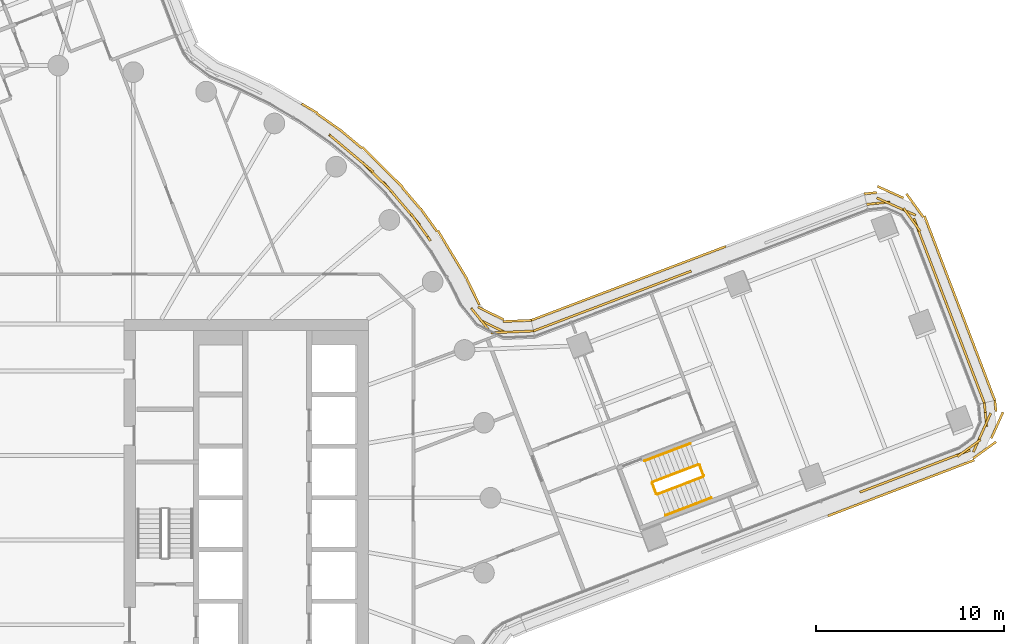
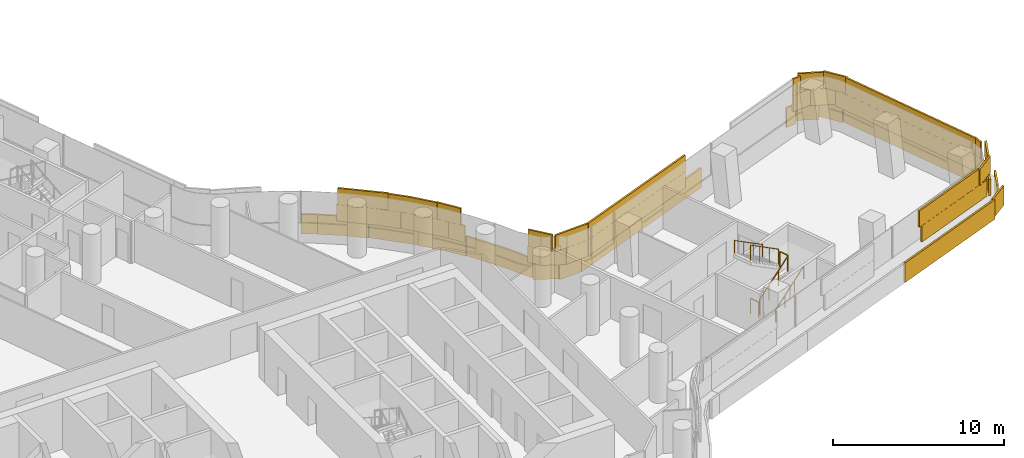
# One storey, part 30 of 32: 6 railings, 4 coverings.
"""IFC4 building model written with IfcOpenShell, lengths in metres."""

from ifc_helpers import new_model, si_unit, direction, frame, origin, origin_2d, place, context, subcontext, project, spatial, rectangle, circle, extrude, material, layer, layer_set, type_object, element, save


model = new_model("IFC4")

# Units and contexts
model_context = context("Model", 3, precision=1e-05, world=origin(), true_north=direction((0.0, 1.0)))
body_context = subcontext(model_context, "Body", "Model", "MODEL_VIEW")
ifc_project = project(units=[si_unit("LENGTHUNIT", "METRE"), si_unit("AREAUNIT", "SQUARE_METRE"), si_unit("VOLUMEUNIT", "CUBIC_METRE"), si_unit("PLANEANGLEUNIT", "RADIAN"), si_unit("MASSUNIT", "GRAM", prefix="KILO")], contexts=[model_context])

# Site, building, storey
site_placement = place(None, origin())
site = spatial("IfcSite", under=ifc_project, at=site_placement, CompositionType="ELEMENT")
building_placement = place(site_placement, origin())
building = spatial("IfcBuilding", under=site, at=building_placement, Name="Tamarind Cross Interchange Tower", CompositionType="ELEMENT")
storey_placement = place(building_placement, frame((0.0, 0.0, 109.75)))
storey = spatial("IfcBuildingStorey", under=building, at=storey_placement, Name="L26", CompositionType="ELEMENT", Elevation=109.75)

# Railings
ifc_material_1 = material(Name="Stair guard")
railing_type_1 = type_object("IfcRailingType", Name="Stair guard", PredefinedType="GUARDRAIL", material=ifc_material_1)
railing_1_placement = place(storey_placement, frame((31.88330078125, 0.1875, 0.17041015625)))
element("IfcRailing", 1, at=railing_1_placement, inside=storey, type_object=railing_type_1, Name="L26 ST3 stair guard 1", PredefinedType="GUARDRAIL", context=body_context, shape_type="SweptSolid", body=[
    extrude(circle(Radius=0.02392578125, at=origin_2d()), frame((0.0, 0.0, 1.076171875), z_axis=(0.781291829036, 0.298255740947, 0.548294255737), x_axis=(-0.356643451308, 0.934240573214, 0.0)), (0.0, 0.0, 1.0), 3.10888671875),
    extrude(circle(Radius=0.02099609375, at=origin_2d()), origin(), (0.0, 0.0, 1.0), 1.052001953125),
    extrude(circle(Radius=0.02099609375, at=origin_2d()), frame((0.8095703125, 0.30908203125, 0.568115234375)), (0.0, 0.0, 1.0), 1.052001953125),
    extrude(circle(Radius=0.02099609375, at=origin_2d()), frame((1.619384765625, 0.6181640625, 1.136474609375)), (0.0, 0.0, 1.0), 1.052001953125),
    extrude(circle(Radius=0.02099609375, at=origin_2d()), frame((2.428955078125, 0.92724609375, 1.70458984375)), (0.0, 0.0, 1.0), 1.052001953125),
])
railing_2_placement = place(storey_placement, frame((34.341064453125, 1.17919921875, 1.875)))
element("IfcRailing", 2, at=railing_2_placement, inside=storey, type_object=railing_type_1, Name="L26 ST3 stair guard 2", PredefinedType="GUARDRAIL", context=body_context, shape_type="SweptSolid", body=[
    extrude(circle(Radius=0.02392578125, at=origin_2d()), frame((0.0, 0.0, 1.076171875), z_axis=(-0.356824233719, 0.934171540045, 0.0), x_axis=(-0.934171540045, -0.356824233719, 0.0)), (0.0, 0.0, 1.0), 0.60009765625),
    extrude(circle(Radius=0.02099609375, at=origin_2d()), origin(), (0.0, 0.0, 1.0), 1.052001953125),
    extrude(circle(Radius=0.02099609375, at=origin_2d()), frame((-0.214111328125, 0.560546875, 0.0)), (0.0, 0.0, 1.0), 1.052001953125),
])
railing_3_placement = place(storey_placement, frame((34.0625, 1.768798828125, 2.04541015625)))
element("IfcRailing", 3, at=railing_3_placement, inside=storey, type_object=railing_type_1, Name="L26 ST3 stair guard 3", PredefinedType="GUARDRAIL", context=body_context, shape_type="SweptSolid", body=[
    extrude(circle(Radius=0.02392578125, at=origin_2d()), frame((0.0, 0.0, 1.076171875), z_axis=(-0.781273527908, -0.298327282392, 0.548281412388), x_axis=(0.356725406208, -0.934209283065, 0.0)), (0.0, 0.0, 1.0), 3.10888671875),
    extrude(circle(Radius=0.02099609375, at=origin_2d()), origin(), (0.0, 0.0, 1.0), 1.052001953125),
    extrude(circle(Radius=0.02099609375, at=origin_2d()), frame((-0.8095703125, -0.30908203125, 0.568115234375)), (0.0, 0.0, 1.0), 1.052001953125),
    extrude(circle(Radius=0.02099609375, at=origin_2d()), frame((-1.619384765625, -0.618408203125, 1.136474609375)), (0.0, 0.0, 1.0), 1.052001953125),
    extrude(circle(Radius=0.02099609375, at=origin_2d()), frame((-2.428955078125, -0.927490234375, 1.70458984375)), (0.0, 0.0, 1.0), 1.052001953125),
])
railing_4_placement = place(storey_placement, frame((31.818603515625, 0.21630859375, 0.0)))
element("IfcRailing", 4, at=railing_4_placement, inside=storey, type_object=railing_type_1, Name="L26 ST3 stair guard 4", PredefinedType="GUARDRAIL", context=body_context, shape_type="SweptSolid", body=[
    extrude(circle(Radius=0.02392578125, at=origin_2d()), frame((0.0, 0.0, 1.076171875), z_axis=(-0.356469091286, 0.934307115973, 0.0), x_axis=(-0.934307115973, -0.356469091286, 0.0)), (0.0, 0.0, 1.0), 0.599853515625),
    extrude(circle(Radius=0.02099609375, at=origin_2d()), origin(), (0.0, 0.0, 1.0), 1.052001953125),
    extrude(circle(Radius=0.02099609375, at=origin_2d()), frame((-0.2138671875, 0.560546875, 0.0)), (0.0, 0.0, 1.0), 1.052001953125),
])
ifc_material_2 = material(Name="Stair handrail")
railing_type_2 = type_object("IfcRailingType", Name="Stair handrail", PredefinedType="HANDRAIL", material=ifc_material_2)
railing_5_placement = place(storey_placement, frame((32.311279296875, -0.93359375, 0.17041015625)))
element("IfcRailing", 5, at=railing_5_placement, inside=storey, type_object=railing_type_2, Name="L26 ST3 stair handrail 1", PredefinedType="HANDRAIL", context=body_context, shape_type="SweptSolid", body=[
    extrude(circle(Radius=0.02392578125, at=origin_2d()), frame((0.0, 0.0, 0.8759765625), z_axis=(0.781291829036, 0.298255740947, 0.548294255737), x_axis=(-0.356643451308, 0.934240573214, 0.0)), (0.0, 0.0, 1.0), 3.10888671875),
    extrude(circle(Radius=0.02099609375, at=origin_2d()), origin(), (0.0, 0.0, 1.0), 0.851806640625),
    extrude(circle(Radius=0.02099609375, at=origin_2d()), frame((0.8095703125, 0.30908203125, 0.568115234375)), (0.0, 0.0, 1.0), 0.851806640625),
    extrude(circle(Radius=0.02099609375, at=origin_2d()), frame((1.619384765625, 0.6181640625, 1.136474609375)), (0.0, 0.0, 1.0), 0.851806640625),
    extrude(circle(Radius=0.02099609375, at=origin_2d()), frame((2.428955078125, 0.92724609375, 1.70458984375)), (0.0, 0.0, 1.0), 0.851806640625),
])
railing_6_placement = place(storey_placement, frame((33.634521484375, 2.889892578125, 2.04541015625)))
element("IfcRailing", 6, at=railing_6_placement, inside=storey, type_object=railing_type_2, Name="L26 ST3 stair handrail 2", PredefinedType="HANDRAIL", context=body_context, shape_type="SweptSolid", body=[
    extrude(circle(Radius=0.02392578125, at=origin_2d()), frame((0.0, 0.0, 0.8759765625), z_axis=(-0.781273527908, -0.298327282392, 0.548281412388), x_axis=(0.356725406208, -0.934209283065, 0.0)), (0.0, 0.0, 1.0), 3.10888671875),
    extrude(circle(Radius=0.02099609375, at=origin_2d()), origin(), (0.0, 0.0, 1.0), 0.851806640625),
    extrude(circle(Radius=0.02099609375, at=origin_2d()), frame((-0.8095703125, -0.30908203125, 0.568115234375)), (0.0, 0.0, 1.0), 0.851806640625),
    extrude(circle(Radius=0.02099609375, at=origin_2d()), frame((-1.619384765625, -0.618408203125, 1.136474609375)), (0.0, 0.0, 1.0), 0.851806640625),
    extrude(circle(Radius=0.02099609375, at=origin_2d()), frame((-2.428955078125, -0.927490234375, 1.70458984375)), (0.0, 0.0, 1.0), 0.851806640625),
])

# Coverings
ifc_material_3 = material(Name="Terracotta", Category="masonry")
ifc_layer = layer(ifc_material_3, 0.1201171875)
ifc_layer_set = layer_set([ifc_layer], Name="Terracotta")
covering_type = type_object("IfcCoveringType", Name="Terracotta baguette screen unit", PredefinedType="MOLDING", material=ifc_layer_set)
covering_1_placement = place(storey_placement, origin())
element("IfcCovering", 7, at=covering_1_placement, inside=storey, type_object=covering_type, Name="SCR-L26-07-02", PredefinedType="MOLDING", context=body_context, shape_type="SweptSolid", body=[
    extrude(rectangle(XDim=1.52001953125, YDim=0.1201171875, at=origin_2d()), frame((43.609619140625, 0.6611328125, 1.404052734375), z_axis=(0.0, 0.0, 1.0), x_axis=(0.934229377055, 0.356672778674, 0.0)), (0.0, 0.0, 1.0), 1.1669921875),
    extrude(rectangle(XDim=1.52001953125, YDim=0.1201171875, at=origin_2d()), frame((45.010986328125, 1.196044921875, 1.404052734375), z_axis=(0.0, 0.0, 1.0), x_axis=(0.934229377055, 0.356672778674, 0.0)), (0.0, 0.0, 1.0), 1.1669921875),
    extrude(rectangle(XDim=1.52001953125, YDim=0.1201171875, at=origin_2d()), frame((46.412353515625, 1.73095703125, 1.404052734375), z_axis=(0.0, 0.0, 1.0), x_axis=(0.934229377055, 0.356672778674, 0.0)), (0.0, 0.0, 1.0), 1.1669921875),
    extrude(rectangle(XDim=1.52001953125, YDim=0.1201171875, at=origin_2d()), frame((47.813720703125, 2.26611328125, 1.404052734375), z_axis=(0.0, 0.0, 1.0), x_axis=(0.934229377055, 0.356672778674, 0.0)), (0.0, 0.0, 1.0), 1.1669921875),
    extrude(rectangle(XDim=1.52001953125, YDim=0.1201171875, at=origin_2d()), frame((49.00341796875, 3.130126953125, 1.404052734375), z_axis=(0.0, 0.0, 1.0), x_axis=(0.408394187234, 0.912805668165, 0.0)), (0.0, 0.0, 1.0), 1.1669921875),
    extrude(rectangle(XDim=1.265625, YDim=0.1201171875, at=origin_2d()), frame((49.339599609375, 4.424072265625, 1.404052734375), z_axis=(0.0, 0.0, 1.0), x_axis=(-0.10272309318, 0.994709990966, 0.0)), (0.0, 0.0, 1.0), 1.1669921875),
    extrude(rectangle(XDim=1.025146484375, YDim=0.1201171875, at=origin_2d()), frame((43.13525390625, 0.47998046875, 2.5791015625), z_axis=(0.0, 0.0, 1.0), x_axis=(0.934229377055, 0.356672778674, 0.0)), (0.0, 0.0, 1.0), 1.1669921875),
    extrude(rectangle(XDim=1.52001953125, YDim=0.1201171875, at=origin_2d()), frame((44.310302734375, 0.928466796875, 2.5791015625), z_axis=(0.0, 0.0, 1.0), x_axis=(0.934229377055, 0.356672778674, 0.0)), (0.0, 0.0, 1.0), 1.1669921875),
    extrude(rectangle(XDim=1.52001953125, YDim=0.1201171875, at=origin_2d()), frame((45.711669921875, 1.463623046875, 2.5791015625), z_axis=(0.0, 0.0, 1.0), x_axis=(0.934229377055, 0.356672778674, 0.0)), (0.0, 0.0, 1.0), 1.1669921875),
    extrude(rectangle(XDim=1.52001953125, YDim=0.1201171875, at=origin_2d()), frame((47.113037109375, 1.99853515625, 2.5791015625), z_axis=(0.0, 0.0, 1.0), x_axis=(0.934229377055, 0.356672778674, 0.0)), (0.0, 0.0, 1.0), 1.1669921875),
    extrude(rectangle(XDim=1.52001953125, YDim=0.1201171875, at=origin_2d()), frame((48.455810546875, 2.6416015625, 2.5791015625), z_axis=(0.0, 0.0, 1.0), x_axis=(0.810082574985, 0.586315803732, 0.0)), (0.0, 0.0, 1.0), 1.1669921875),
    extrude(rectangle(XDim=1.52001953125, YDim=0.1201171875, at=origin_2d()), frame((49.309814453125, 3.814697265625, 2.5791015625), z_axis=(0.0, 0.0, 1.0), x_axis=(0.408394187234, 0.912805668165, 0.0)), (0.0, 0.0, 1.0), 1.1669921875),
    extrude(rectangle(XDim=0.515625, YDim=0.1201171875, at=origin_2d()), frame((49.301025390625, 4.797119140625, 2.5791015625), z_axis=(0.0, 0.0, 1.0), x_axis=(-0.10272309318, 0.994709990966, 0.0)), (0.0, 0.0, 1.0), 1.1669921875),
    extrude(rectangle(XDim=0.83349609375, YDim=0.1201171875, at=origin_2d()), frame((41.345947265625, -0.817626953125, 0.00390625), z_axis=(0.0, 0.0, 1.0), x_axis=(0.934229377055, 0.356672778674, 0.0)), (0.0, 0.0, 1.0), 1.39208984375),
    extrude(rectangle(XDim=1.52001953125, YDim=0.1201171875, at=origin_2d()), frame((42.426513671875, -0.405029296875, 0.00390625), z_axis=(0.0, 0.0, 1.0), x_axis=(0.934229377055, 0.356672778674, 0.0)), (0.0, 0.0, 1.0), 1.39208984375),
    extrude(rectangle(XDim=1.52001953125, YDim=0.1201171875, at=origin_2d()), frame((43.827880859375, 0.1298828125, 0.00390625), z_axis=(0.0, 0.0, 1.0), x_axis=(0.934229377055, 0.356672778674, 0.0)), (0.0, 0.0, 1.0), 1.39208984375),
    extrude(rectangle(XDim=1.52001953125, YDim=0.1201171875, at=origin_2d()), frame((45.229248046875, 0.6650390625, 0.00390625), z_axis=(0.0, 0.0, 1.0), x_axis=(0.934229377055, 0.356672778674, 0.0)), (0.0, 0.0, 1.0), 1.39208984375),
    extrude(rectangle(XDim=1.52001953125, YDim=0.1201171875, at=origin_2d()), frame((46.630615234375, 1.199951171875, 0.00390625), z_axis=(0.0, 0.0, 1.0), x_axis=(0.934229377055, 0.356672778674, 0.0)), (0.0, 0.0, 1.0), 1.39208984375),
    extrude(rectangle(XDim=1.52001953125, YDim=0.1201171875, at=origin_2d()), frame((48.031982421875, 1.73486328125, 0.00390625), z_axis=(0.0, 0.0, 1.0), x_axis=(0.934229377055, 0.356672778674, 0.0)), (0.0, 0.0, 1.0), 1.39208984375),
    extrude(rectangle(XDim=1.52001953125, YDim=0.1201171875, at=origin_2d()), frame((49.289306640625, 2.5361328125, 0.00390625), z_axis=(0.0, 0.0, 1.0), x_axis=(0.810082574985, 0.586315803732, 0.0)), (0.0, 0.0, 1.0), 1.39208984375),
    extrude(rectangle(XDim=1.52001953125, YDim=0.1201171875, at=origin_2d()), frame((49.958740234375, 3.859375, 0.00390625), z_axis=(0.0, 0.0, 1.0), x_axis=(0.408394187234, 0.912805668165, 0.0)), (0.0, 0.0, 1.0), 1.39208984375),
    extrude(rectangle(XDim=0.593017578125, YDim=0.1201171875, at=origin_2d()), frame((49.86865234375, 4.8876953125, 0.00390625), z_axis=(0.0, 0.0, 1.0), x_axis=(-0.10272309318, 0.994709990966, 0.0)), (0.0, 0.0, 1.0), 1.39208984375),
])
covering_2_placement = place(storey_placement, origin())
element("IfcCovering", 8, at=covering_2_placement, inside=storey, type_object=covering_type, Name="SCR-L26-08-00", PredefinedType="MOLDING", context=body_context, shape_type="SweptSolid", body=[
    extrude(rectangle(XDim=1.510009765625, YDim=0.1201171875, at=origin_2d()), frame((49.007568359375, 5.7490234375, 1.404052734375), z_axis=(0.0, 0.0, 1.0), x_axis=(-0.356672778674, 0.934229377055, 0.0)), (0.0, 0.0, 1.0), 1.1669921875),
    extrude(rectangle(XDim=1.52001953125, YDim=0.1201171875, at=origin_2d()), frame((48.47265625, 7.150390625, 1.404052734375), z_axis=(0.0, 0.0, 1.0), x_axis=(-0.356672778674, 0.934229377055, 0.0)), (0.0, 0.0, 1.0), 1.1669921875),
    extrude(rectangle(XDim=1.52001953125, YDim=0.1201171875, at=origin_2d()), frame((47.9375, 8.5517578125, 1.404052734375), z_axis=(0.0, 0.0, 1.0), x_axis=(-0.356672778674, 0.934229377055, 0.0)), (0.0, 0.0, 1.0), 1.1669921875),
    extrude(rectangle(XDim=1.52001953125, YDim=0.1201171875, at=origin_2d()), frame((47.402587890625, 9.953125, 1.404052734375), z_axis=(0.0, 0.0, 1.0), x_axis=(-0.356672778674, 0.934229377055, 0.0)), (0.0, 0.0, 1.0), 1.1669921875),
    extrude(rectangle(XDim=1.52001953125, YDim=0.1201171875, at=origin_2d()), frame((46.867431640625, 11.3544921875, 1.404052734375), z_axis=(0.0, 0.0, 1.0), x_axis=(-0.356672778674, 0.934229377055, 0.0)), (0.0, 0.0, 1.0), 1.1669921875),
    extrude(rectangle(XDim=1.52001953125, YDim=0.1201171875, at=origin_2d()), frame((46.33251953125, 12.755859375, 1.404052734375), z_axis=(0.0, 0.0, 1.0), x_axis=(-0.356672778674, 0.934229377055, 0.0)), (0.0, 0.0, 1.0), 1.1669921875),
    extrude(rectangle(XDim=1.52001953125, YDim=0.1201171875, at=origin_2d()), frame((45.797607421875, 14.1572265625, 1.404052734375), z_axis=(0.0, 0.0, 1.0), x_axis=(-0.356672778674, 0.934229377055, 0.0)), (0.0, 0.0, 1.0), 1.1669921875),
    extrude(rectangle(XDim=1.52001953125, YDim=0.1201171875, at=origin_2d()), frame((44.93017578125, 15.343994140625, 1.404052734375), z_axis=(0.0, 0.0, 1.0), x_axis=(-0.912805668165, 0.408394187234, 0.0)), (0.0, 0.0, 1.0), 1.1669921875),
    extrude(rectangle(XDim=1.259521484375, YDim=0.1201171875, at=origin_2d()), frame((43.638671875, 15.67724609375, 1.404052734375), z_axis=(0.0, 0.0, 1.0), x_axis=(-0.994709990966, -0.10272309318, 0.0)), (0.0, 0.0, 1.0), 1.1669921875),
    extrude(rectangle(XDim=0.760009765625, YDim=0.1201171875, at=origin_2d()), frame((49.141357421875, 5.398681640625, 2.5791015625), z_axis=(0.0, 0.0, 1.0), x_axis=(-0.356672778674, 0.934229377055, 0.0)), (0.0, 0.0, 1.0), 1.1669921875),
    extrude(rectangle(XDim=1.52001953125, YDim=0.1201171875, at=origin_2d()), frame((48.739990234375, 6.44970703125, 2.5791015625), z_axis=(0.0, 0.0, 1.0), x_axis=(-0.356672778674, 0.934229377055, 0.0)), (0.0, 0.0, 1.0), 1.1669921875),
    extrude(rectangle(XDim=1.52001953125, YDim=0.1201171875, at=origin_2d()), frame((48.205078125, 7.85107421875, 2.5791015625), z_axis=(0.0, 0.0, 1.0), x_axis=(-0.356672778674, 0.934229377055, 0.0)), (0.0, 0.0, 1.0), 1.1669921875),
    extrude(rectangle(XDim=1.52001953125, YDim=0.1201171875, at=origin_2d()), frame((47.669921875, 9.25244140625, 2.5791015625), z_axis=(0.0, 0.0, 1.0), x_axis=(-0.356672778674, 0.934229377055, 0.0)), (0.0, 0.0, 1.0), 1.1669921875),
    extrude(rectangle(XDim=1.52001953125, YDim=0.1201171875, at=origin_2d()), frame((47.135009765625, 10.65380859375, 2.5791015625), z_axis=(0.0, 0.0, 1.0), x_axis=(-0.356672778674, 0.934229377055, 0.0)), (0.0, 0.0, 1.0), 1.1669921875),
    extrude(rectangle(XDim=1.52001953125, YDim=0.1201171875, at=origin_2d()), frame((46.60009765625, 12.05517578125, 2.5791015625), z_axis=(0.0, 0.0, 1.0), x_axis=(-0.356672778674, 0.934229377055, 0.0)), (0.0, 0.0, 1.0), 1.1669921875),
    extrude(rectangle(XDim=1.52001953125, YDim=0.1201171875, at=origin_2d()), frame((46.06494140625, 13.45654296875, 2.5791015625), z_axis=(0.0, 0.0, 1.0), x_axis=(-0.356672778674, 0.934229377055, 0.0)), (0.0, 0.0, 1.0), 1.1669921875),
    extrude(rectangle(XDim=1.52001953125, YDim=0.1201171875, at=origin_2d()), frame((45.420654296875, 14.798828125, 2.5791015625), z_axis=(0.0, 0.0, 1.0), x_axis=(-0.586315803732, 0.810082574985, 0.0)), (0.0, 0.0, 1.0), 1.1669921875),
    extrude(rectangle(XDim=1.52001953125, YDim=0.1201171875, at=origin_2d()), frame((44.24560546875, 15.650390625, 2.5791015625), z_axis=(0.0, 0.0, 1.0), x_axis=(-0.912805668165, 0.408394187234, 0.0)), (0.0, 0.0, 1.0), 1.1669921875),
    extrude(rectangle(XDim=0.509521484375, YDim=0.1201171875, at=origin_2d()), frame((43.265869140625, 15.638916015625, 2.5791015625), z_axis=(0.0, 0.0, 1.0), x_axis=(-0.994709990966, -0.10272309318, 0.0)), (0.0, 0.0, 1.0), 1.1669921875),
    extrude(rectangle(XDim=1.510009765625, YDim=0.1201171875, at=origin_2d()), frame((49.569091796875, 5.887939453125, 0.00390625), z_axis=(0.0, 0.0, 1.0), x_axis=(-0.356672778674, 0.934229377055, 0.0)), (0.0, 0.0, 1.0), 1.39208984375),
    extrude(rectangle(XDim=1.52001953125, YDim=0.1201171875, at=origin_2d()), frame((49.03564453125, 7.28466796875, 0.00390625), z_axis=(0.0, 0.0, 1.0), x_axis=(-0.356672778674, 0.934229377055, 0.0)), (0.0, 0.0, 1.0), 1.39208984375),
    extrude(rectangle(XDim=1.52001953125, YDim=0.1201171875, at=origin_2d()), frame((48.500732421875, 8.68603515625, 0.00390625), z_axis=(0.0, 0.0, 1.0), x_axis=(-0.356672778674, 0.934229377055, 0.0)), (0.0, 0.0, 1.0), 1.39208984375),
    extrude(rectangle(XDim=1.52001953125, YDim=0.1201171875, at=origin_2d()), frame((47.9658203125, 10.08740234375, 0.00390625), z_axis=(0.0, 0.0, 1.0), x_axis=(-0.356672778674, 0.934229377055, 0.0)), (0.0, 0.0, 1.0), 1.39208984375),
    extrude(rectangle(XDim=1.52001953125, YDim=0.1201171875, at=origin_2d()), frame((47.4306640625, 11.488525390625, 0.00390625), z_axis=(0.0, 0.0, 1.0), x_axis=(-0.356672778674, 0.934229377055, 0.0)), (0.0, 0.0, 1.0), 1.39208984375),
    extrude(rectangle(XDim=1.52001953125, YDim=0.1201171875, at=origin_2d()), frame((46.895751953125, 12.889892578125, 0.00390625), z_axis=(0.0, 0.0, 1.0), x_axis=(-0.356672778674, 0.934229377055, 0.0)), (0.0, 0.0, 1.0), 1.39208984375),
    extrude(rectangle(XDim=1.52001953125, YDim=0.1201171875, at=origin_2d()), frame((46.360595703125, 14.291259765625, 0.00390625), z_axis=(0.0, 0.0, 1.0), x_axis=(-0.356672778674, 0.934229377055, 0.0)), (0.0, 0.0, 1.0), 1.39208984375),
    extrude(rectangle(XDim=1.52001953125, YDim=0.1201171875, at=origin_2d()), frame((45.578857421875, 15.55908203125, 0.00390625), z_axis=(0.0, 0.0, 1.0), x_axis=(-0.586315803732, 0.810082574985, 0.0)), (0.0, 0.0, 1.0), 1.39208984375),
    extrude(rectangle(XDim=1.52001953125, YDim=0.1201171875, at=origin_2d()), frame((44.283203125, 16.262451171875, 0.00390625), z_axis=(0.0, 0.0, 1.0), x_axis=(-0.912805668165, 0.408394187234, 0.0)), (0.0, 0.0, 1.0), 1.39208984375),
    extrude(rectangle(XDim=0.676513671875, YDim=0.1201171875, at=origin_2d()), frame((43.22021484375, 16.211181640625, 0.00390625), z_axis=(0.0, 0.0, 1.0), x_axis=(-0.994709990966, -0.10272309318, 0.0)), (0.0, 0.0, 1.0), 1.39208984375),
])
covering_3_placement = place(storey_placement, origin())
element("IfcCovering", 9, at=covering_3_placement, inside=storey, type_object=covering_type, Name="SCR-L26-09-01", PredefinedType="MOLDING", context=body_context, shape_type="SweptSolid", body=[
    extrude(rectangle(XDim=0.519287109375, YDim=0.1201171875, at=origin_2d()), frame((33.43994140625, 11.97412109375, 1.404052734375), z_axis=(0.0, 0.0, 1.0), x_axis=(-0.934795735228, -0.355185773082, 0.0)), (0.0, 0.0, 1.0), 1.1669921875),
    extrude(rectangle(XDim=1.52001953125, YDim=0.1201171875, at=origin_2d()), frame((32.500732421875, 11.617431640625, 1.404052734375), z_axis=(0.0, 0.0, 1.0), x_axis=(-0.934795735228, -0.355185773082, 0.0)), (0.0, 0.0, 1.0), 1.1669921875),
    extrude(rectangle(XDim=1.52001953125, YDim=0.1201171875, at=origin_2d()), frame((31.0986328125, 11.08447265625, 1.404052734375), z_axis=(0.0, 0.0, 1.0), x_axis=(-0.934795735228, -0.355185773082, 0.0)), (0.0, 0.0, 1.0), 1.1669921875),
    extrude(rectangle(XDim=1.52001953125, YDim=0.1201171875, at=origin_2d()), frame((29.696533203125, 10.5517578125, 1.404052734375), z_axis=(0.0, 0.0, 1.0), x_axis=(-0.934795735228, -0.355185773082, 0.0)), (0.0, 0.0, 1.0), 1.1669921875),
    extrude(rectangle(XDim=1.52001953125, YDim=0.1201171875, at=origin_2d()), frame((28.294189453125, 10.01904296875, 1.404052734375), z_axis=(0.0, 0.0, 1.0), x_axis=(-0.934795735228, -0.355185773082, 0.0)), (0.0, 0.0, 1.0), 1.1669921875),
    extrude(rectangle(XDim=1.52001953125, YDim=0.1201171875, at=origin_2d()), frame((26.89208984375, 9.486083984375, 1.404052734375), z_axis=(0.0, 0.0, 1.0), x_axis=(-0.934795735228, -0.355185773082, 0.0)), (0.0, 0.0, 1.0), 1.1669921875),
    extrude(rectangle(XDim=0.97705078125, YDim=0.1201171875, at=origin_2d()), frame((25.739013671875, 9.048095703125, 1.404052734375), z_axis=(0.0, 0.0, 1.0), x_axis=(-0.934795735228, -0.355185773082, 0.0)), (0.0, 0.0, 1.0), 1.1669921875),
    extrude(rectangle(XDim=1.269287109375, YDim=0.1201171875, at=origin_2d()), frame((33.08935546875, 11.841064453125, 2.5791015625), z_axis=(0.0, 0.0, 1.0), x_axis=(-0.934795735228, -0.355185773082, 0.0)), (0.0, 0.0, 1.0), 1.1669921875),
    extrude(rectangle(XDim=1.52001953125, YDim=0.1201171875, at=origin_2d()), frame((31.7998046875, 11.350830078125, 2.5791015625), z_axis=(0.0, 0.0, 1.0), x_axis=(-0.934795735228, -0.355185773082, 0.0)), (0.0, 0.0, 1.0), 1.1669921875),
    extrude(rectangle(XDim=1.52001953125, YDim=0.1201171875, at=origin_2d()), frame((30.3974609375, 10.818115234375, 2.5791015625), z_axis=(0.0, 0.0, 1.0), x_axis=(-0.934795735228, -0.355185773082, 0.0)), (0.0, 0.0, 1.0), 1.1669921875),
    extrude(rectangle(XDim=1.52001953125, YDim=0.1201171875, at=origin_2d()), frame((28.995361328125, 10.285400390625, 2.5791015625), z_axis=(0.0, 0.0, 1.0), x_axis=(-0.934795735228, -0.355185773082, 0.0)), (0.0, 0.0, 1.0), 1.1669921875),
    extrude(rectangle(XDim=1.52001953125, YDim=0.1201171875, at=origin_2d()), frame((27.59326171875, 9.752685546875, 2.5791015625), z_axis=(0.0, 0.0, 1.0), x_axis=(-0.934795735228, -0.355185773082, 0.0)), (0.0, 0.0, 1.0), 1.1669921875),
    extrude(rectangle(XDim=1.52001953125, YDim=0.1201171875, at=origin_2d()), frame((26.19091796875, 9.2197265625, 2.5791015625), z_axis=(0.0, 0.0, 1.0), x_axis=(-0.934795735228, -0.355185773082, 0.0)), (0.0, 0.0, 1.0), 1.1669921875),
    extrude(rectangle(XDim=0.22705078125, YDim=0.1201171875, at=origin_2d()), frame((25.388427734375, 8.914794921875, 2.5791015625), z_axis=(0.0, 0.0, 1.0), x_axis=(-0.934795735228, -0.355185773082, 0.0)), (0.0, 0.0, 1.0), 1.1669921875),
    extrude(rectangle(XDim=1.126708984375, YDim=0.1201171875, at=origin_2d()), frame((34.98779296875, 13.17626953125, 0.00390625), z_axis=(0.0, 0.0, 1.0), x_axis=(-0.934795735228, -0.355185773082, 0.0)), (0.0, 0.0, 1.0), 1.39208984375),
    extrude(rectangle(XDim=1.52001953125, YDim=0.1201171875, at=origin_2d()), frame((33.769287109375, 12.71337890625, 0.00390625), z_axis=(0.0, 0.0, 1.0), x_axis=(-0.934795735228, -0.355185773082, 0.0)), (0.0, 0.0, 1.0), 1.39208984375),
    extrude(rectangle(XDim=1.52001953125, YDim=0.1201171875, at=origin_2d()), frame((32.3671875, 12.1806640625, 0.00390625), z_axis=(0.0, 0.0, 1.0), x_axis=(-0.934795735228, -0.355185773082, 0.0)), (0.0, 0.0, 1.0), 1.39208984375),
    extrude(rectangle(XDim=1.52001953125, YDim=0.1201171875, at=origin_2d()), frame((30.96484375, 11.647705078125, 0.00390625), z_axis=(0.0, 0.0, 1.0), x_axis=(-0.934795735228, -0.355185773082, 0.0)), (0.0, 0.0, 1.0), 1.39208984375),
    extrude(rectangle(XDim=1.52001953125, YDim=0.1201171875, at=origin_2d()), frame((29.562744140625, 11.114990234375, 0.00390625), z_axis=(0.0, 0.0, 1.0), x_axis=(-0.934795735228, -0.355185773082, 0.0)), (0.0, 0.0, 1.0), 1.39208984375),
    extrude(rectangle(XDim=1.52001953125, YDim=0.1201171875, at=origin_2d()), frame((28.16064453125, 10.582275390625, 0.00390625), z_axis=(0.0, 0.0, 1.0), x_axis=(-0.934795735228, -0.355185773082, 0.0)), (0.0, 0.0, 1.0), 1.39208984375),
    extrude(rectangle(XDim=1.52001953125, YDim=0.1201171875, at=origin_2d()), frame((26.75830078125, 10.049560546875, 0.00390625), z_axis=(0.0, 0.0, 1.0), x_axis=(-0.934795735228, -0.355185773082, 0.0)), (0.0, 0.0, 1.0), 1.39208984375),
    extrude(rectangle(XDim=0.95947265625, YDim=0.1201171875, at=origin_2d()), frame((25.6181640625, 9.6162109375, 0.00390625), z_axis=(0.0, 0.0, 1.0), x_axis=(-0.934795735228, -0.355185773082, 0.0)), (0.0, 0.0, 1.0), 1.39208984375),
])
covering_4_placement = place(storey_placement, origin())
element("IfcCovering", 10, at=covering_4_placement, inside=storey, type_object=covering_type, Name="SCR-L26-10-00", PredefinedType="MOLDING", context=body_context, shape_type="SweptSolid", body=[
    extrude(rectangle(XDim=1.510009765625, YDim=0.1201171875, at=origin_2d()), frame((24.53759765625, 8.84423828125, 1.404052734375), z_axis=(0.0, 0.0, 1.0), x_axis=(-0.99908676229, -0.042727525273, 0.0)), (0.0, 0.0, 1.0), 1.1669921875),
    extrude(rectangle(XDim=1.52001953125, YDim=0.1201171875, at=origin_2d()), frame((23.112548828125, 9.130126953125, 1.404052734375), z_axis=(0.0, 0.0, 1.0), x_axis=(-0.89722743465, 0.441568715504, 0.0)), (0.0, 0.0, 1.0), 1.1669921875),
    extrude(rectangle(XDim=0.787109375, YDim=0.1201171875, at=origin_2d()), frame((22.215576171875, 9.78857421875, 1.404052734375), z_axis=(0.0, 0.0, 1.0), x_axis=(-0.62796858047, 0.778238692139, 0.0)), (0.0, 0.0, 1.0), 1.1669921875),
    extrude(rectangle(XDim=1.032958984375, YDim=0.1201171875, at=origin_2d()), frame((19.50732421875, 14.093017578125, 1.404052734375), z_axis=(0.0, 0.0, 1.0), x_axis=(-0.584573890505, 0.811340475102, 0.0)), (0.0, 0.0, 1.0), 1.1669921875),
    extrude(rectangle(XDim=1.52001953125, YDim=0.1201171875, at=origin_2d()), frame((18.75048828125, 15.101318359375, 1.404052734375), z_axis=(0.0, 0.0, 1.0), x_axis=(-0.64957723968, 0.760295606781, 0.0)), (0.0, 0.0, 1.0), 1.1669921875),
    extrude(rectangle(XDim=1.52001953125, YDim=0.1201171875, at=origin_2d()), frame((17.776123046875, 16.24169921875, 1.404052734375), z_axis=(0.0, 0.0, 1.0), x_axis=(-0.64957723968, 0.760295606781, 0.0)), (0.0, 0.0, 1.0), 1.1669921875),
    extrude(rectangle(XDim=1.52001953125, YDim=0.1201171875, at=origin_2d()), frame((16.72265625, 17.308837890625, 1.404052734375), z_axis=(0.0, 0.0, 1.0), x_axis=(-0.710143317658, 0.704057148523, 0.0)), (0.0, 0.0, 1.0), 1.1669921875),
    extrude(rectangle(XDim=1.52001953125, YDim=0.1201171875, at=origin_2d()), frame((15.612060546875, 18.31494140625, 1.404052734375), z_axis=(0.0, 0.0, 1.0), x_axis=(-0.765858396687, 0.643009266048, 0.0)), (0.0, 0.0, 1.0), 1.1669921875),
    extrude(rectangle(XDim=0.8310546875, YDim=0.1201171875, at=origin_2d()), frame((14.723388671875, 19.061279296875, 1.404052734375), z_axis=(0.0, 0.0, 1.0), x_axis=(-0.765858396687, 0.643009266048, 0.0)), (0.0, 0.0, 1.0), 1.1669921875),
    extrude(rectangle(XDim=0.760009765625, YDim=0.1201171875, at=origin_2d()), frame((24.912353515625, 8.8603515625, 2.5791015625), z_axis=(0.0, 0.0, 1.0), x_axis=(-0.99908676229, -0.042727525273, 0.0)), (0.0, 0.0, 1.0), 1.1669921875),
    extrude(rectangle(XDim=1.52001953125, YDim=0.1201171875, at=origin_2d()), frame((23.788330078125, 8.812255859375, 2.5791015625), z_axis=(0.0, 0.0, 1.0), x_axis=(-0.99908676229, -0.042727525273, 0.0)), (0.0, 0.0, 1.0), 1.1669921875),
    extrude(rectangle(XDim=1.52001953125, YDim=0.1201171875, at=origin_2d()), frame((22.459716796875, 9.486083984375, 2.5791015625), z_axis=(0.0, 0.0, 1.0), x_axis=(-0.62796858047, 0.778238692139, 0.0)), (0.0, 0.0, 1.0), 1.1669921875),
    extrude(rectangle(XDim=1.52001953125, YDim=0.1201171875, at=origin_2d()), frame((19.208251953125, 14.508056640625, 2.5791015625), z_axis=(0.0, 0.0, 1.0), x_axis=(-0.584573890505, 0.811340475102, 0.0)), (0.0, 0.0, 1.0), 1.1669921875),
    extrude(rectangle(XDim=1.52001953125, YDim=0.1201171875, at=origin_2d()), frame((18.263427734375, 15.671630859375, 2.5791015625), z_axis=(0.0, 0.0, 1.0), x_axis=(-0.64957723968, 0.760295606781, 0.0)), (0.0, 0.0, 1.0), 1.1669921875),
    extrude(rectangle(XDim=1.52001953125, YDim=0.1201171875, at=origin_2d()), frame((17.25537109375, 16.78076171875, 2.5791015625), z_axis=(0.0, 0.0, 1.0), x_axis=(-0.710143317658, 0.704057148523, 0.0)), (0.0, 0.0, 1.0), 1.1669921875),
    extrude(rectangle(XDim=1.52001953125, YDim=0.1201171875, at=origin_2d()), frame((16.1865234375, 17.832763671875, 2.5791015625), z_axis=(0.0, 0.0, 1.0), x_axis=(-0.765858396687, 0.643009266048, 0.0)), (0.0, 0.0, 1.0), 1.1669921875),
    extrude(rectangle(XDim=1.52001953125, YDim=0.1201171875, at=origin_2d()), frame((15.03759765625, 18.79736328125, 2.5791015625), z_axis=(0.0, 0.0, 1.0), x_axis=(-0.765858396687, 0.643009266048, 0.0)), (0.0, 0.0, 1.0), 1.1669921875),
    extrude(rectangle(XDim=1.510009765625, YDim=0.1201171875, at=origin_2d()), frame((24.415283203125, 9.41357421875, 0.00390625), z_axis=(0.0, 0.0, 1.0), x_axis=(-0.99908676229, -0.042727525273, 0.0)), (0.0, 0.0, 1.0), 1.39208984375),
    extrude(rectangle(XDim=1.52001953125, YDim=0.1201171875, at=origin_2d()), frame((23.019775390625, 9.8154296875, 0.00390625), z_axis=(0.0, 0.0, 1.0), x_axis=(-0.89722743465, 0.441568715504, 0.0)), (0.0, 0.0, 1.0), 1.39208984375),
    extrude(rectangle(XDim=1.52001953125, YDim=0.1201171875, at=origin_2d()), frame((22.07373046875, 10.953369140625, 0.00390625), z_axis=(0.0, 0.0, 1.0), x_axis=(-0.445349819005, 0.895356654475, 0.0)), (0.0, 0.0, 1.0), 1.39208984375),
    extrude(rectangle(XDim=1.52001953125, YDim=0.1201171875, at=origin_2d()), frame((21.369140625, 12.2763671875, 0.00390625), z_axis=(0.0, 0.0, 1.0), x_axis=(-0.515577308909, 0.856843065292, 0.0)), (0.0, 0.0, 1.0), 1.39208984375),
    extrude(rectangle(XDim=1.52001953125, YDim=0.1201171875, at=origin_2d()), frame((20.595703125, 13.561767578125, 0.00390625), z_axis=(0.0, 0.0, 1.0), x_axis=(-0.515577308909, 0.856843065292, 0.0)), (0.0, 0.0, 1.0), 1.39208984375),
    extrude(rectangle(XDim=1.52001953125, YDim=0.1201171875, at=origin_2d()), frame((19.72021484375, 14.779541015625, 0.00390625), z_axis=(0.0, 0.0, 1.0), x_axis=(-0.584573890505, 0.811340475102, 0.0)), (0.0, 0.0, 1.0), 1.39208984375),
    extrude(rectangle(XDim=1.52001953125, YDim=0.1201171875, at=origin_2d()), frame((18.781982421875, 15.9482421875, 0.00390625), z_axis=(0.0, 0.0, 1.0), x_axis=(-0.64957723968, 0.760295606781, 0.0)), (0.0, 0.0, 1.0), 1.39208984375),
    extrude(rectangle(XDim=1.52001953125, YDim=0.1201171875, at=origin_2d()), frame((17.782958984375, 17.06591796875, 0.00390625), z_axis=(0.0, 0.0, 1.0), x_axis=(-0.710143317658, 0.704057148523, 0.0)), (0.0, 0.0, 1.0), 1.39208984375),
    extrude(rectangle(XDim=1.52001953125, YDim=0.1201171875, at=origin_2d()), frame((16.7177734375, 18.1220703125, 0.00390625), z_axis=(0.0, 0.0, 1.0), x_axis=(-0.710143317658, 0.704057148523, 0.0)), (0.0, 0.0, 1.0), 1.39208984375),
    extrude(rectangle(XDim=1.52001953125, YDim=0.1201171875, at=origin_2d()), frame((15.576171875, 19.094482421875, 0.00390625), z_axis=(0.0, 0.0, 1.0), x_axis=(-0.765858396687, 0.643009266048, 0.0)), (0.0, 0.0, 1.0), 1.39208984375),
    extrude(rectangle(XDim=1.52001953125, YDim=0.1201171875, at=origin_2d()), frame((14.385498046875, 20.0048828125, 0.00390625), z_axis=(0.0, 0.0, 1.0), x_axis=(-0.816341886298, 0.577568978284, 0.0)), (0.0, 0.0, 1.0), 1.39208984375),
    extrude(rectangle(XDim=0.985595703125, YDim=0.1201171875, at=origin_2d()), frame((13.378173828125, 20.715087890625, 0.00390625), z_axis=(0.0, 0.0, 1.0), x_axis=(-0.861248933065, 0.508183308752, 0.0)), (0.0, 0.0, 1.0), 1.39208984375),
])

save(model, "model.ifc")
